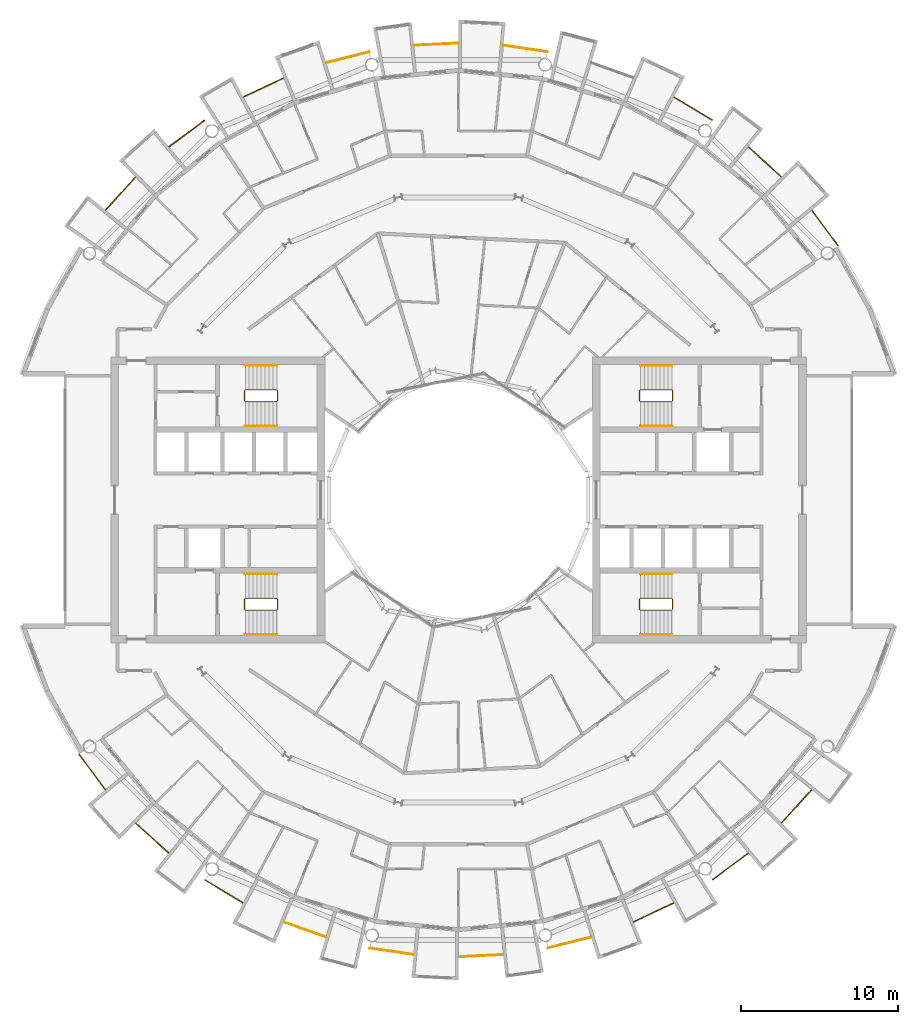
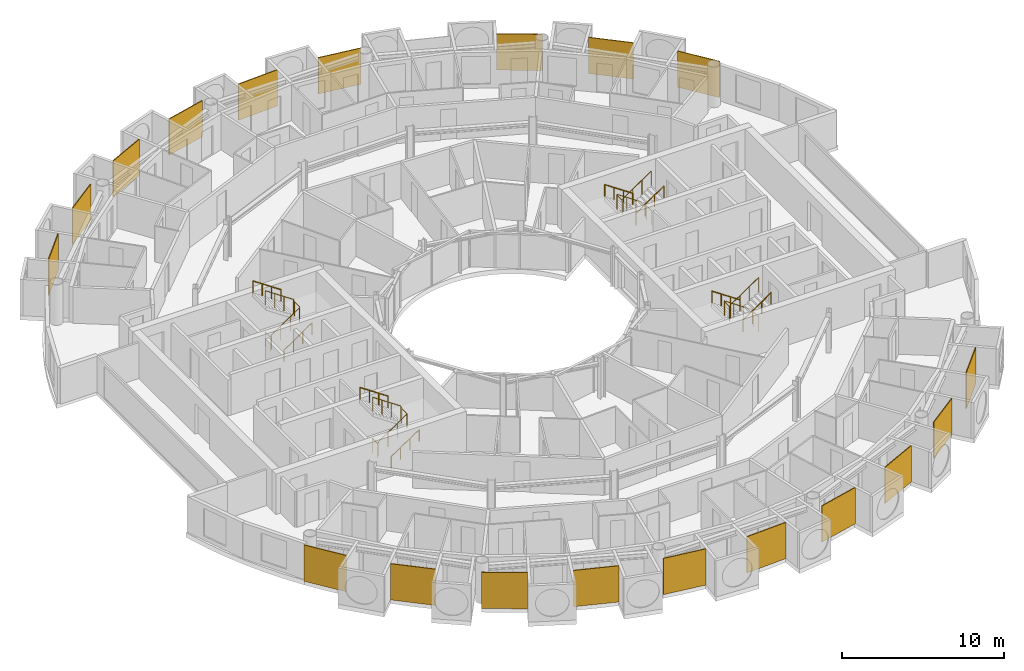
# One storey, part 26 of 27: 31 railings.
"""IFC4 building model written with IfcOpenShell, lengths in metres."""

from ifc_helpers import new_model, si_unit, direction, frame, origin, origin_2d, place, context, subcontext, project, spatial, polyline, circle, outline, extrude, material, layer, layer_set, type_object, element, save


model = new_model("IFC4")

# Units and contexts
model_context = context("Model", 3, precision=1e-05, world=origin(), true_north=direction((0.0, 1.0)))
body_context = subcontext(model_context, "Body", "Model", "MODEL_VIEW")
ifc_project = project(units=[si_unit("LENGTHUNIT", "METRE"), si_unit("AREAUNIT", "SQUARE_METRE"), si_unit("VOLUMEUNIT", "CUBIC_METRE"), si_unit("PLANEANGLEUNIT", "RADIAN"), si_unit("MASSUNIT", "GRAM", prefix="KILO")], contexts=[model_context])

# Site, building, storey
site_placement = place(None, origin())
site = spatial("IfcSite", under=ifc_project, at=site_placement, CompositionType="ELEMENT")
building_placement = place(site_placement, origin())
building = spatial("IfcBuilding", under=site, at=building_placement, Name="Maasbend Ring Residences", CompositionType="ELEMENT")
storey_placement = place(building_placement, frame((0.0, 0.0, 170.75)))
storey = spatial("IfcBuildingStorey", under=building, at=storey_placement, Name="L49", CompositionType="ELEMENT", Elevation=170.75)

# Railings
ifc_material_1 = material(Name="Pale anodised perforated aluminium", Category="aluminium")
ifc_layer = layer(ifc_material_1, 0.06005859375)
ifc_layer_set = layer_set([ifc_layer], Name="SCREEN-P")
railing_type_1 = type_object("IfcRailingType", Name="SCREEN-P", PredefinedType="GUARDRAIL", material=ifc_layer_set)
railing_1_placement = place(storey_placement, frame((0.0, 0.0, -0.030029296875)))
element("IfcRailing", 1, at=railing_1_placement, inside=storey, type_object=railing_type_1, Name="Perforated screen guard 1", PredefinedType="GUARDRAIL", context=body_context, shape_type="SweptSolid", body=[
    extrude(outline(polyline([(24.113037109375, 16.112060546875), (22.4169921875, 18.39697265625), (22.465087890625, 18.43310546875), (24.160888671875, 16.14697265625), (24.113037109375, 16.112060546875)])), origin(), (0.0, 0.0, 1.0), 2.72998046875),
])
railing_2_placement = place(storey_placement, frame((0.0, 0.0, -0.030029296875)))
element("IfcRailing", 2, at=railing_2_placement, inside=storey, type_object=railing_type_1, Name="Perforated screen guard 2", PredefinedType="GUARDRAIL", context=body_context, shape_type="SweptSolid", body=[
    extrude(outline(polyline([(20.506103515625, 20.506103515625), (18.39697265625, 22.4169921875), (18.43798828125, 22.4619140625), (20.5458984375, 20.551025390625), (20.506103515625, 20.506103515625)])), origin(), (0.0, 0.0, 1.0), 2.72998046875),
])
railing_3_placement = place(storey_placement, frame((0.0, 0.0, -0.030029296875)))
element("IfcRailing", 3, at=railing_3_placement, inside=storey, type_object=railing_type_1, Name="Perforated screen guard 3", PredefinedType="GUARDRAIL", context=body_context, shape_type="SweptSolid", body=[
    extrude(outline(polyline([(16.112060546875, 24.113037109375), (13.6708984375, 25.575927734375), (13.700927734375, 25.626953125), (16.14208984375, 24.1640625), (16.112060546875, 24.113037109375)])), origin(), (0.0, 0.0, 1.0), 2.72998046875),
])
railing_4_placement = place(storey_placement, frame((0.0, 0.0, -0.030029296875)))
element("IfcRailing", 4, at=railing_4_placement, inside=storey, type_object=railing_type_1, Name="Perforated screen guard 5", PredefinedType="GUARDRAIL", context=body_context, shape_type="SweptSolid", body=[
    extrude(outline(polyline([(5.657958984375, 28.443115234375), (2.842041015625, 28.860107421875), (2.85107421875, 28.919921875), (5.666015625, 28.501953125), (5.657958984375, 28.443115234375)])), origin(), (0.0, 0.0, 1.0), 2.72998046875),
])
railing_5_placement = place(storey_placement, frame((0.0, 0.0, -0.030029296875)))
element("IfcRailing", 5, at=railing_5_placement, inside=storey, type_object=railing_type_1, Name="Perforated screen guard 6", PredefinedType="GUARDRAIL", context=body_context, shape_type="SweptSolid", body=[
    extrude(outline(polyline([(0.0, 29.0), (-2.842041015625, 28.860107421875), (-2.844970703125, 28.919921875), (-0.0029296875, 29.06005859375), (0.0, 29.0)])), origin(), (0.0, 0.0, 1.0), 2.72998046875),
])
railing_6_placement = place(storey_placement, frame((0.0, 0.0, -0.030029296875)))
element("IfcRailing", 6, at=railing_6_placement, inside=storey, type_object=railing_type_1, Name="Perforated screen guard 7", PredefinedType="GUARDRAIL", context=body_context, shape_type="SweptSolid", body=[
    extrude(outline(polyline([(-5.657958984375, 28.443115234375), (-8.41796875, 27.7509765625), (-8.43310546875, 27.80908203125), (-5.672119140625, 28.5009765625), (-5.657958984375, 28.443115234375)])), origin(), (0.0, 0.0, 1.0), 2.72998046875),
])
railing_7_placement = place(storey_placement, frame((0.0, 0.0, -0.030029296875)))
element("IfcRailing", 7, at=railing_7_placement, inside=storey, type_object=railing_type_1, Name="Perforated screen guard 8", PredefinedType="GUARDRAIL", context=body_context, shape_type="SweptSolid", body=[
    extrude(outline(polyline([(-11.097900390625, 26.79296875), (-13.6708984375, 25.575927734375), (-13.696044921875, 25.6298828125), (-11.123046875, 26.846923828125), (-11.097900390625, 26.79296875)])), origin(), (0.0, 0.0, 1.0), 2.72998046875),
])
railing_8_placement = place(storey_placement, frame((0.0, 0.0, -0.030029296875)))
element("IfcRailing", 8, at=railing_8_placement, inside=storey, type_object=railing_type_1, Name="Perforated screen guard 9", PredefinedType="GUARDRAIL", context=body_context, shape_type="SweptSolid", body=[
    extrude(outline(polyline([(-16.112060546875, 24.113037109375), (-18.39697265625, 22.4169921875), (-18.43310546875, 22.465087890625), (-16.14697265625, 24.160888671875), (-16.112060546875, 24.113037109375)])), origin(), (0.0, 0.0, 1.0), 2.72998046875),
])
railing_9_placement = place(storey_placement, frame((0.0, 0.0, -0.030029296875)))
element("IfcRailing", 9, at=railing_9_placement, inside=storey, type_object=railing_type_1, Name="Perforated screen guard 10", PredefinedType="GUARDRAIL", context=body_context, shape_type="SweptSolid", body=[
    extrude(outline(polyline([(-20.506103515625, 20.506103515625), (-22.4169921875, 18.39697265625), (-22.4619140625, 18.43798828125), (-20.551025390625, 20.5458984375), (-20.506103515625, 20.506103515625)])), origin(), (0.0, 0.0, 1.0), 2.72998046875),
])
railing_10_placement = place(storey_placement, frame((0.0, 0.0, -0.030029296875)))
element("IfcRailing", 10, at=railing_10_placement, inside=storey, type_object=railing_type_1, Name="Perforated screen guard 1", PredefinedType="GUARDRAIL", context=body_context, shape_type="SweptSolid", body=[
    extrude(outline(polyline([(-24.113037109375, -16.112060546875), (-22.4169921875, -18.39697265625), (-22.465087890625, -18.43310546875), (-24.160888671875, -16.14697265625), (-24.113037109375, -16.112060546875)])), origin(), (0.0, 0.0, 1.0), 2.72998046875),
])
railing_11_placement = place(storey_placement, frame((0.0, 0.0, -0.030029296875)))
element("IfcRailing", 11, at=railing_11_placement, inside=storey, type_object=railing_type_1, Name="Perforated screen guard 2", PredefinedType="GUARDRAIL", context=body_context, shape_type="SweptSolid", body=[
    extrude(outline(polyline([(-20.506103515625, -20.506103515625), (-18.39697265625, -22.4169921875), (-18.43798828125, -22.4619140625), (-20.5458984375, -20.551025390625), (-20.506103515625, -20.506103515625)])), origin(), (0.0, 0.0, 1.0), 2.72998046875),
])
railing_12_placement = place(storey_placement, frame((0.0, 0.0, -0.030029296875)))
element("IfcRailing", 12, at=railing_12_placement, inside=storey, type_object=railing_type_1, Name="Perforated screen guard 3", PredefinedType="GUARDRAIL", context=body_context, shape_type="SweptSolid", body=[
    extrude(outline(polyline([(-16.112060546875, -24.113037109375), (-13.6708984375, -25.575927734375), (-13.700927734375, -25.626953125), (-16.14208984375, -24.1640625), (-16.112060546875, -24.113037109375)])), origin(), (0.0, 0.0, 1.0), 2.72998046875),
])
railing_13_placement = place(storey_placement, frame((0.0, 0.0, -0.030029296875)))
element("IfcRailing", 13, at=railing_13_placement, inside=storey, type_object=railing_type_1, Name="Perforated screen guard 4", PredefinedType="GUARDRAIL", context=body_context, shape_type="SweptSolid", body=[
    extrude(outline(polyline([(-11.097900390625, -26.79296875), (-8.41796875, -27.7509765625), (-8.43798828125, -27.80810546875), (-11.117919921875, -26.84912109375), (-11.097900390625, -26.79296875)])), origin(), (0.0, 0.0, 1.0), 2.72998046875),
])
railing_14_placement = place(storey_placement, frame((0.0, 0.0, -0.030029296875)))
element("IfcRailing", 14, at=railing_14_placement, inside=storey, type_object=railing_type_1, Name="Perforated screen guard 5", PredefinedType="GUARDRAIL", context=body_context, shape_type="SweptSolid", body=[
    extrude(outline(polyline([(-5.657958984375, -28.443115234375), (-2.842041015625, -28.860107421875), (-2.85107421875, -28.919921875), (-5.666015625, -28.501953125), (-5.657958984375, -28.443115234375)])), origin(), (0.0, 0.0, 1.0), 2.72998046875),
])
railing_15_placement = place(storey_placement, frame((0.0, 0.0, -0.030029296875)))
element("IfcRailing", 15, at=railing_15_placement, inside=storey, type_object=railing_type_1, Name="Perforated screen guard 6", PredefinedType="GUARDRAIL", context=body_context, shape_type="SweptSolid", body=[
    extrude(outline(polyline([(0.0, -29.0), (2.842041015625, -28.860107421875), (2.844970703125, -28.919921875), (0.0029296875, -29.06005859375), (0.0, -29.0)])), origin(), (0.0, 0.0, 1.0), 2.72998046875),
])
railing_16_placement = place(storey_placement, frame((0.0, 0.0, -0.030029296875)))
element("IfcRailing", 16, at=railing_16_placement, inside=storey, type_object=railing_type_1, Name="Perforated screen guard 7", PredefinedType="GUARDRAIL", context=body_context, shape_type="SweptSolid", body=[
    extrude(outline(polyline([(5.657958984375, -28.443115234375), (8.41796875, -27.7509765625), (8.43310546875, -27.80908203125), (5.672119140625, -28.5009765625), (5.657958984375, -28.443115234375)])), origin(), (0.0, 0.0, 1.0), 2.72998046875),
])
railing_17_placement = place(storey_placement, frame((0.0, 0.0, -0.030029296875)))
element("IfcRailing", 17, at=railing_17_placement, inside=storey, type_object=railing_type_1, Name="Perforated screen guard 8", PredefinedType="GUARDRAIL", context=body_context, shape_type="SweptSolid", body=[
    extrude(outline(polyline([(11.097900390625, -26.79296875), (13.6708984375, -25.575927734375), (13.696044921875, -25.6298828125), (11.123046875, -26.846923828125), (11.097900390625, -26.79296875)])), origin(), (0.0, 0.0, 1.0), 2.72998046875),
])
railing_18_placement = place(storey_placement, frame((0.0, 0.0, -0.030029296875)))
element("IfcRailing", 18, at=railing_18_placement, inside=storey, type_object=railing_type_1, Name="Perforated screen guard 9", PredefinedType="GUARDRAIL", context=body_context, shape_type="SweptSolid", body=[
    extrude(outline(polyline([(16.112060546875, -24.113037109375), (18.39697265625, -22.4169921875), (18.43310546875, -22.465087890625), (16.14697265625, -24.160888671875), (16.112060546875, -24.113037109375)])), origin(), (0.0, 0.0, 1.0), 2.72998046875),
])
railing_19_placement = place(storey_placement, frame((0.0, 0.0, -0.030029296875)))
element("IfcRailing", 19, at=railing_19_placement, inside=storey, type_object=railing_type_1, Name="Perforated screen guard 10", PredefinedType="GUARDRAIL", context=body_context, shape_type="SweptSolid", body=[
    extrude(outline(polyline([(20.506103515625, -20.506103515625), (22.4169921875, -18.39697265625), (22.4619140625, -18.43798828125), (20.551025390625, -20.5458984375), (20.506103515625, -20.506103515625)])), origin(), (0.0, 0.0, 1.0), 2.72998046875),
])
ifc_material_2 = material(Name="Stainless steel 316", Category="steel")
railing_type_2 = type_object("IfcRailingType", Name="STAIR GUARD 1100", PredefinedType="GUARDRAIL", material=ifc_material_2)
railing_20_placement = place(storey_placement, frame((13.60009765625, 6.300048828125, 0.0)))
element("IfcRailing", 20, at=railing_20_placement, inside=storey, type_object=railing_type_2, Name="L49 ST-E1 stair guard 1", PredefinedType="GUARDRAIL", context=body_context, shape_type="SweptSolid", body=[
    extrude(circle(Radius=0.02392578125, at=origin_2d()), frame((0.0, 0.0, 1.076171875), z_axis=(0.0, 1.0, 0.0), x_axis=(-1.0, 0.0, 0.0)), (0.0, 0.0, 1.0), 0.64990234375),
    extrude(circle(Radius=0.02392578125, at=origin_2d()), frame((0.0, 0.64990234375, 1.076171875), z_axis=(-0.272562526181, 0.272562526181, 0.92272386912), x_axis=(-0.707106781187, -0.707106781187, 0.0)), (0.0, 0.0, 1.0), 0.18359375),
    extrude(circle(Radius=0.02392578125, at=origin_2d()), frame((-0.050048828125, 0.699951171875, 1.24560546875), z_axis=(-0.827797584762, 0.0, 0.561026878735), x_axis=(0.0, -1.0, 0.0)), (0.0, 0.0, 1.0), 2.416015625),
    extrude(circle(Radius=0.02392578125, at=origin_2d()), frame((-2.050048828125, 0.699951171875, 2.60107421875), z_axis=(-0.707106781187, -0.707106781187, 0.0), x_axis=(0.707106781187, -0.707106781187, 0.0)), (0.0, 0.0, 1.0), 0.07080078125),
    extrude(circle(Radius=0.02392578125, at=origin_2d()), frame((-2.10009765625, 0.64990234375, 2.60107421875), z_axis=(0.0, -1.0, 0.0), x_axis=(1.0, 0.0, 0.0)), (0.0, 0.0, 1.0), 0.64990234375),
    extrude(circle(Radius=0.02392578125, at=origin_2d()), frame((-2.10009765625, 0.0, 2.60107421875), z_axis=(0.272562526181, -0.272562526181, 0.92272386912), x_axis=(0.707106781187, 0.707106781187, 0.0)), (0.0, 0.0, 1.0), 0.18359375),
    extrude(circle(Radius=0.02392578125, at=origin_2d()), frame((-2.050048828125, -0.050048828125, 2.7705078125), z_axis=(0.827750655447, 0.0, 0.561096116906), x_axis=(0.0, 1.0, 0.0)), (0.0, 0.0, 1.0), 2.416259765625),
    extrude(circle(Radius=0.02099609375, at=origin_2d()), origin(), (0.0, 0.0, 1.0), 1.052001953125),
    extrude(circle(Radius=0.02099609375, at=origin_2d()), frame((0.0, 0.64990234375, 0.0)), (0.0, 0.0, 1.0), 1.052001953125),
    extrude(circle(Radius=0.02099609375, at=origin_2d()), frame((-0.050048828125, 0.699951171875, 0.16943359375)), (0.0, 0.0, 1.0), 1.052001953125),
    extrude(circle(Radius=0.02099609375, at=origin_2d()), frame((-0.716796875, 0.699951171875, 0.621337890625)), (0.0, 0.0, 1.0), 1.052001953125),
    extrude(circle(Radius=0.02099609375, at=origin_2d()), frame((-1.38330078125, 0.699951171875, 1.072998046875)), (0.0, 0.0, 1.0), 1.052001953125),
    extrude(circle(Radius=0.02099609375, at=origin_2d()), frame((-2.050048828125, 0.699951171875, 1.52490234375)), (0.0, 0.0, 1.0), 1.052001953125),
    extrude(circle(Radius=0.02099609375, at=origin_2d()), frame((-2.10009765625, 0.64990234375, 1.52490234375)), (0.0, 0.0, 1.0), 1.052001953125),
    extrude(circle(Radius=0.02099609375, at=origin_2d()), frame((-2.10009765625, 0.0, 1.52490234375)), (0.0, 0.0, 1.0), 1.052001953125),
    extrude(circle(Radius=0.02099609375, at=origin_2d()), frame((-2.050048828125, -0.050048828125, 1.6943359375)), (0.0, 0.0, 1.0), 1.052001953125),
    extrude(circle(Radius=0.02099609375, at=origin_2d()), frame((-1.38330078125, -0.050048828125, 2.146240234375)), (0.0, 0.0, 1.0), 1.052001953125),
    extrude(circle(Radius=0.02099609375, at=origin_2d()), frame((-0.716796875, -0.050048828125, 2.59814453125)), (0.0, 0.0, 1.0), 1.052001953125),
    extrude(circle(Radius=0.02099609375, at=origin_2d()), frame((-0.050048828125, -0.050048828125, 3.050048828125)), (0.0, 0.0, 1.0), 1.052001953125),
])
railing_21_placement = place(storey_placement, frame((13.60009765625, -6.949951171875, 0.0)))
element("IfcRailing", 21, at=railing_21_placement, inside=storey, type_object=railing_type_2, Name="L49 ST-E2 stair guard 1", PredefinedType="GUARDRAIL", context=body_context, shape_type="SweptSolid", body=[
    extrude(circle(Radius=0.02392578125, at=origin_2d()), frame((0.0, 0.0, 1.076171875), z_axis=(0.0, 1.0, 0.0), x_axis=(-1.0, 0.0, 0.0)), (0.0, 0.0, 1.0), 0.64990234375),
    extrude(circle(Radius=0.02392578125, at=origin_2d()), frame((0.0, 0.64990234375, 1.076171875), z_axis=(-0.272562526181, 0.272562526181, 0.92272386912), x_axis=(-0.707106781187, -0.707106781187, 0.0)), (0.0, 0.0, 1.0), 0.18359375),
    extrude(circle(Radius=0.02392578125, at=origin_2d()), frame((-0.050048828125, 0.699951171875, 1.24560546875), z_axis=(-0.827797584762, 0.0, 0.561026878735), x_axis=(0.0, -1.0, 0.0)), (0.0, 0.0, 1.0), 2.416015625),
    extrude(circle(Radius=0.02392578125, at=origin_2d()), frame((-2.050048828125, 0.699951171875, 2.60107421875), z_axis=(-0.707106781187, -0.707106781187, 0.0), x_axis=(0.707106781187, -0.707106781187, 0.0)), (0.0, 0.0, 1.0), 0.07080078125),
    extrude(circle(Radius=0.02392578125, at=origin_2d()), frame((-2.10009765625, 0.64990234375, 2.60107421875), z_axis=(0.0, -1.0, 0.0), x_axis=(1.0, 0.0, 0.0)), (0.0, 0.0, 1.0), 0.64990234375),
    extrude(circle(Radius=0.02392578125, at=origin_2d()), frame((-2.10009765625, 0.0, 2.60107421875), z_axis=(0.272562526181, -0.272562526181, 0.92272386912), x_axis=(0.707106781187, 0.707106781187, 0.0)), (0.0, 0.0, 1.0), 0.18359375),
    extrude(circle(Radius=0.02392578125, at=origin_2d()), frame((-2.050048828125, -0.050048828125, 2.7705078125), z_axis=(0.827750655447, 0.0, 0.561096116906), x_axis=(0.0, 1.0, 0.0)), (0.0, 0.0, 1.0), 2.416259765625),
    extrude(circle(Radius=0.02099609375, at=origin_2d()), origin(), (0.0, 0.0, 1.0), 1.052001953125),
    extrude(circle(Radius=0.02099609375, at=origin_2d()), frame((0.0, 0.64990234375, 0.0)), (0.0, 0.0, 1.0), 1.052001953125),
    extrude(circle(Radius=0.02099609375, at=origin_2d()), frame((-0.050048828125, 0.699951171875, 0.16943359375)), (0.0, 0.0, 1.0), 1.052001953125),
    extrude(circle(Radius=0.02099609375, at=origin_2d()), frame((-0.716796875, 0.699951171875, 0.621337890625)), (0.0, 0.0, 1.0), 1.052001953125),
    extrude(circle(Radius=0.02099609375, at=origin_2d()), frame((-1.38330078125, 0.699951171875, 1.072998046875)), (0.0, 0.0, 1.0), 1.052001953125),
    extrude(circle(Radius=0.02099609375, at=origin_2d()), frame((-2.050048828125, 0.699951171875, 1.52490234375)), (0.0, 0.0, 1.0), 1.052001953125),
    extrude(circle(Radius=0.02099609375, at=origin_2d()), frame((-2.10009765625, 0.64990234375, 1.52490234375)), (0.0, 0.0, 1.0), 1.052001953125),
    extrude(circle(Radius=0.02099609375, at=origin_2d()), frame((-2.10009765625, 0.0, 1.52490234375)), (0.0, 0.0, 1.0), 1.052001953125),
    extrude(circle(Radius=0.02099609375, at=origin_2d()), frame((-2.050048828125, -0.050048828125, 1.6943359375)), (0.0, 0.0, 1.0), 1.052001953125),
    extrude(circle(Radius=0.02099609375, at=origin_2d()), frame((-1.38330078125, -0.050048828125, 2.146240234375)), (0.0, 0.0, 1.0), 1.052001953125),
    extrude(circle(Radius=0.02099609375, at=origin_2d()), frame((-0.716796875, -0.050048828125, 2.59814453125)), (0.0, 0.0, 1.0), 1.052001953125),
    extrude(circle(Radius=0.02099609375, at=origin_2d()), frame((-0.050048828125, -0.050048828125, 3.050048828125)), (0.0, 0.0, 1.0), 1.052001953125),
])
railing_22_placement = place(storey_placement, frame((-13.60009765625, -6.300048828125, 0.0)))
element("IfcRailing", 22, at=railing_22_placement, inside=storey, type_object=railing_type_2, Name="L49 ST-W1 stair guard 1", PredefinedType="GUARDRAIL", context=body_context, shape_type="SweptSolid", body=[
    extrude(circle(Radius=0.02392578125, at=origin_2d()), frame((0.0, 0.0, 1.076171875), z_axis=(0.0, -1.0, 0.0), x_axis=(1.0, 0.0, 0.0)), (0.0, 0.0, 1.0), 0.64990234375),
    extrude(circle(Radius=0.02392578125, at=origin_2d()), frame((0.0, -0.64990234375, 1.076171875), z_axis=(0.272562526181, -0.272562526181, 0.92272386912), x_axis=(0.707106781187, 0.707106781187, 0.0)), (0.0, 0.0, 1.0), 0.18359375),
    extrude(circle(Radius=0.02392578125, at=origin_2d()), frame((0.050048828125, -0.699951171875, 1.24560546875), z_axis=(0.827797584762, 0.0, 0.561026878735), x_axis=(0.0, 1.0, 0.0)), (0.0, 0.0, 1.0), 2.416015625),
    extrude(circle(Radius=0.02392578125, at=origin_2d()), frame((2.050048828125, -0.699951171875, 2.60107421875), z_axis=(0.707106781187, 0.707106781187, 0.0), x_axis=(-0.707106781187, 0.707106781187, 0.0)), (0.0, 0.0, 1.0), 0.07080078125),
    extrude(circle(Radius=0.02392578125, at=origin_2d()), frame((2.10009765625, -0.64990234375, 2.60107421875), z_axis=(0.0, 1.0, 0.0), x_axis=(-1.0, 0.0, 0.0)), (0.0, 0.0, 1.0), 0.64990234375),
    extrude(circle(Radius=0.02392578125, at=origin_2d()), frame((2.10009765625, 0.0, 2.60107421875), z_axis=(-0.272562526181, 0.272562526181, 0.92272386912), x_axis=(-0.707106781187, -0.707106781187, 0.0)), (0.0, 0.0, 1.0), 0.18359375),
    extrude(circle(Radius=0.02392578125, at=origin_2d()), frame((2.050048828125, 0.050048828125, 2.7705078125), z_axis=(-0.827750655447, 0.0, 0.561096116906), x_axis=(0.0, -1.0, 0.0)), (0.0, 0.0, 1.0), 2.416259765625),
    extrude(circle(Radius=0.02099609375, at=origin_2d()), origin(), (0.0, 0.0, 1.0), 1.052001953125),
    extrude(circle(Radius=0.02099609375, at=origin_2d()), frame((0.0, -0.64990234375, 0.0)), (0.0, 0.0, 1.0), 1.052001953125),
    extrude(circle(Radius=0.02099609375, at=origin_2d()), frame((0.050048828125, -0.699951171875, 0.16943359375)), (0.0, 0.0, 1.0), 1.052001953125),
    extrude(circle(Radius=0.02099609375, at=origin_2d()), frame((0.716796875, -0.699951171875, 0.621337890625)), (0.0, 0.0, 1.0), 1.052001953125),
    extrude(circle(Radius=0.02099609375, at=origin_2d()), frame((1.38330078125, -0.699951171875, 1.072998046875)), (0.0, 0.0, 1.0), 1.052001953125),
    extrude(circle(Radius=0.02099609375, at=origin_2d()), frame((2.050048828125, -0.699951171875, 1.52490234375)), (0.0, 0.0, 1.0), 1.052001953125),
    extrude(circle(Radius=0.02099609375, at=origin_2d()), frame((2.10009765625, -0.64990234375, 1.52490234375)), (0.0, 0.0, 1.0), 1.052001953125),
    extrude(circle(Radius=0.02099609375, at=origin_2d()), frame((2.10009765625, 0.0, 1.52490234375)), (0.0, 0.0, 1.0), 1.052001953125),
    extrude(circle(Radius=0.02099609375, at=origin_2d()), frame((2.050048828125, 0.050048828125, 1.6943359375)), (0.0, 0.0, 1.0), 1.052001953125),
    extrude(circle(Radius=0.02099609375, at=origin_2d()), frame((1.38330078125, 0.050048828125, 2.146240234375)), (0.0, 0.0, 1.0), 1.052001953125),
    extrude(circle(Radius=0.02099609375, at=origin_2d()), frame((0.716796875, 0.050048828125, 2.59814453125)), (0.0, 0.0, 1.0), 1.052001953125),
    extrude(circle(Radius=0.02099609375, at=origin_2d()), frame((0.050048828125, 0.050048828125, 3.050048828125)), (0.0, 0.0, 1.0), 1.052001953125),
])
railing_23_placement = place(storey_placement, frame((-13.60009765625, 6.949951171875, 0.0)))
element("IfcRailing", 23, at=railing_23_placement, inside=storey, type_object=railing_type_2, Name="L49 ST-W2 stair guard 1", PredefinedType="GUARDRAIL", context=body_context, shape_type="SweptSolid", body=[
    extrude(circle(Radius=0.02392578125, at=origin_2d()), frame((0.0, 0.0, 1.076171875), z_axis=(0.0, -1.0, 0.0), x_axis=(1.0, 0.0, 0.0)), (0.0, 0.0, 1.0), 0.64990234375),
    extrude(circle(Radius=0.02392578125, at=origin_2d()), frame((0.0, -0.64990234375, 1.076171875), z_axis=(0.272562526181, -0.272562526181, 0.92272386912), x_axis=(0.707106781187, 0.707106781187, 0.0)), (0.0, 0.0, 1.0), 0.18359375),
    extrude(circle(Radius=0.02392578125, at=origin_2d()), frame((0.050048828125, -0.699951171875, 1.24560546875), z_axis=(0.827797584762, 0.0, 0.561026878735), x_axis=(0.0, 1.0, 0.0)), (0.0, 0.0, 1.0), 2.416015625),
    extrude(circle(Radius=0.02392578125, at=origin_2d()), frame((2.050048828125, -0.699951171875, 2.60107421875), z_axis=(0.707106781187, 0.707106781187, 0.0), x_axis=(-0.707106781187, 0.707106781187, 0.0)), (0.0, 0.0, 1.0), 0.07080078125),
    extrude(circle(Radius=0.02392578125, at=origin_2d()), frame((2.10009765625, -0.64990234375, 2.60107421875), z_axis=(0.0, 1.0, 0.0), x_axis=(-1.0, 0.0, 0.0)), (0.0, 0.0, 1.0), 0.64990234375),
    extrude(circle(Radius=0.02392578125, at=origin_2d()), frame((2.10009765625, 0.0, 2.60107421875), z_axis=(-0.272562526181, 0.272562526181, 0.92272386912), x_axis=(-0.707106781187, -0.707106781187, 0.0)), (0.0, 0.0, 1.0), 0.18359375),
    extrude(circle(Radius=0.02392578125, at=origin_2d()), frame((2.050048828125, 0.050048828125, 2.7705078125), z_axis=(-0.827750655447, 0.0, 0.561096116906), x_axis=(0.0, -1.0, 0.0)), (0.0, 0.0, 1.0), 2.416259765625),
    extrude(circle(Radius=0.02099609375, at=origin_2d()), origin(), (0.0, 0.0, 1.0), 1.052001953125),
    extrude(circle(Radius=0.02099609375, at=origin_2d()), frame((0.0, -0.64990234375, 0.0)), (0.0, 0.0, 1.0), 1.052001953125),
    extrude(circle(Radius=0.02099609375, at=origin_2d()), frame((0.050048828125, -0.699951171875, 0.16943359375)), (0.0, 0.0, 1.0), 1.052001953125),
    extrude(circle(Radius=0.02099609375, at=origin_2d()), frame((0.716796875, -0.699951171875, 0.621337890625)), (0.0, 0.0, 1.0), 1.052001953125),
    extrude(circle(Radius=0.02099609375, at=origin_2d()), frame((1.38330078125, -0.699951171875, 1.072998046875)), (0.0, 0.0, 1.0), 1.052001953125),
    extrude(circle(Radius=0.02099609375, at=origin_2d()), frame((2.050048828125, -0.699951171875, 1.52490234375)), (0.0, 0.0, 1.0), 1.052001953125),
    extrude(circle(Radius=0.02099609375, at=origin_2d()), frame((2.10009765625, -0.64990234375, 1.52490234375)), (0.0, 0.0, 1.0), 1.052001953125),
    extrude(circle(Radius=0.02099609375, at=origin_2d()), frame((2.10009765625, 0.0, 1.52490234375)), (0.0, 0.0, 1.0), 1.052001953125),
    extrude(circle(Radius=0.02099609375, at=origin_2d()), frame((2.050048828125, 0.050048828125, 1.6943359375)), (0.0, 0.0, 1.0), 1.052001953125),
    extrude(circle(Radius=0.02099609375, at=origin_2d()), frame((1.38330078125, 0.050048828125, 2.146240234375)), (0.0, 0.0, 1.0), 1.052001953125),
    extrude(circle(Radius=0.02099609375, at=origin_2d()), frame((0.716796875, 0.050048828125, 2.59814453125)), (0.0, 0.0, 1.0), 1.052001953125),
    extrude(circle(Radius=0.02099609375, at=origin_2d()), frame((0.050048828125, 0.050048828125, 3.050048828125)), (0.0, 0.0, 1.0), 1.052001953125),
])
ifc_material_3 = material(Name="Stainless steel 316", Category="steel")
railing_type_3 = type_object("IfcRailingType", Name="STAIR HANDRAIL 900", PredefinedType="HANDRAIL", material=ifc_material_3)
railing_24_placement = place(storey_placement, frame((13.550048828125, 8.550048828125, 0.16943359375)))
element("IfcRailing", 24, at=railing_24_placement, inside=storey, type_object=railing_type_3, Name="L49 ST-E1 stair handrail 1", PredefinedType="HANDRAIL", context=body_context, shape_type="SweptSolid", body=[
    extrude(circle(Radius=0.02392578125, at=origin_2d()), frame((0.0, 0.0, 0.8759765625), z_axis=(-0.827797584762, 0.0, 0.561026878735), x_axis=(0.0, -1.0, 0.0)), (0.0, 0.0, 1.0), 2.416015625),
    extrude(circle(Radius=0.02099609375, at=origin_2d()), origin(), (0.0, 0.0, 1.0), 0.851806640625),
    extrude(circle(Radius=0.02099609375, at=origin_2d()), frame((-0.666748046875, 0.0, 0.451904296875)), (0.0, 0.0, 1.0), 0.851806640625),
    extrude(circle(Radius=0.02099609375, at=origin_2d()), frame((-1.333251953125, 0.0, 0.903564453125)), (0.0, 0.0, 1.0), 0.851806640625),
    extrude(circle(Radius=0.02099609375, at=origin_2d()), frame((-2.0, 0.0, 1.35546875)), (0.0, 0.0, 1.0), 0.851806640625),
])
railing_25_placement = place(storey_placement, frame((11.550048828125, 4.699951171875, 1.6943359375)))
element("IfcRailing", 25, at=railing_25_placement, inside=storey, type_object=railing_type_3, Name="L49 ST-E1 stair handrail 2", PredefinedType="HANDRAIL", context=body_context, shape_type="SweptSolid", body=[
    extrude(circle(Radius=0.02392578125, at=origin_2d()), frame((0.0, 0.0, 0.8759765625), z_axis=(0.827750655447, 0.0, 0.561096116906), x_axis=(0.0, 1.0, 0.0)), (0.0, 0.0, 1.0), 2.416259765625),
    extrude(circle(Radius=0.02099609375, at=origin_2d()), origin(), (0.0, 0.0, 1.0), 0.851806640625),
    extrude(circle(Radius=0.02099609375, at=origin_2d()), frame((0.666748046875, 0.0, 0.451904296875)), (0.0, 0.0, 1.0), 0.851806640625),
    extrude(circle(Radius=0.02099609375, at=origin_2d()), frame((1.333251953125, 0.0, 0.90380859375)), (0.0, 0.0, 1.0), 0.851806640625),
    extrude(circle(Radius=0.02099609375, at=origin_2d()), frame((2.0, 0.0, 1.355712890625)), (0.0, 0.0, 1.0), 0.851806640625),
])
railing_26_placement = place(storey_placement, frame((13.550048828125, -4.699951171875, 0.16943359375)))
element("IfcRailing", 26, at=railing_26_placement, inside=storey, type_object=railing_type_3, Name="L49 ST-E2 stair handrail 1", PredefinedType="HANDRAIL", context=body_context, shape_type="SweptSolid", body=[
    extrude(circle(Radius=0.02392578125, at=origin_2d()), frame((0.0, 0.0, 0.8759765625), z_axis=(-0.827797584762, 0.0, 0.561026878735), x_axis=(0.0, -1.0, 0.0)), (0.0, 0.0, 1.0), 2.416015625),
    extrude(circle(Radius=0.02099609375, at=origin_2d()), origin(), (0.0, 0.0, 1.0), 0.851806640625),
    extrude(circle(Radius=0.02099609375, at=origin_2d()), frame((-0.666748046875, 0.0, 0.451904296875)), (0.0, 0.0, 1.0), 0.851806640625),
    extrude(circle(Radius=0.02099609375, at=origin_2d()), frame((-1.333251953125, 0.0, 0.903564453125)), (0.0, 0.0, 1.0), 0.851806640625),
    extrude(circle(Radius=0.02099609375, at=origin_2d()), frame((-2.0, 0.0, 1.35546875)), (0.0, 0.0, 1.0), 0.851806640625),
])
railing_27_placement = place(storey_placement, frame((11.550048828125, -8.550048828125, 1.6943359375)))
element("IfcRailing", 27, at=railing_27_placement, inside=storey, type_object=railing_type_3, Name="L49 ST-E2 stair handrail 2", PredefinedType="HANDRAIL", context=body_context, shape_type="SweptSolid", body=[
    extrude(circle(Radius=0.02392578125, at=origin_2d()), frame((0.0, 0.0, 0.8759765625), z_axis=(0.827750655447, 0.0, 0.561096116906), x_axis=(0.0, 1.0, 0.0)), (0.0, 0.0, 1.0), 2.416259765625),
    extrude(circle(Radius=0.02099609375, at=origin_2d()), origin(), (0.0, 0.0, 1.0), 0.851806640625),
    extrude(circle(Radius=0.02099609375, at=origin_2d()), frame((0.666748046875, 0.0, 0.451904296875)), (0.0, 0.0, 1.0), 0.851806640625),
    extrude(circle(Radius=0.02099609375, at=origin_2d()), frame((1.333251953125, 0.0, 0.90380859375)), (0.0, 0.0, 1.0), 0.851806640625),
    extrude(circle(Radius=0.02099609375, at=origin_2d()), frame((2.0, 0.0, 1.355712890625)), (0.0, 0.0, 1.0), 0.851806640625),
])
railing_28_placement = place(storey_placement, frame((-13.550048828125, -8.550048828125, 0.16943359375)))
element("IfcRailing", 28, at=railing_28_placement, inside=storey, type_object=railing_type_3, Name="L49 ST-W1 stair handrail 1", PredefinedType="HANDRAIL", context=body_context, shape_type="SweptSolid", body=[
    extrude(circle(Radius=0.02392578125, at=origin_2d()), frame((0.0, 0.0, 0.8759765625), z_axis=(0.827797584762, 0.0, 0.561026878735), x_axis=(0.0, 1.0, 0.0)), (0.0, 0.0, 1.0), 2.416015625),
    extrude(circle(Radius=0.02099609375, at=origin_2d()), origin(), (0.0, 0.0, 1.0), 0.851806640625),
    extrude(circle(Radius=0.02099609375, at=origin_2d()), frame((0.666748046875, 0.0, 0.451904296875)), (0.0, 0.0, 1.0), 0.851806640625),
    extrude(circle(Radius=0.02099609375, at=origin_2d()), frame((1.333251953125, 0.0, 0.903564453125)), (0.0, 0.0, 1.0), 0.851806640625),
    extrude(circle(Radius=0.02099609375, at=origin_2d()), frame((2.0, 0.0, 1.35546875)), (0.0, 0.0, 1.0), 0.851806640625),
])
railing_29_placement = place(storey_placement, frame((-11.550048828125, -4.699951171875, 1.6943359375)))
element("IfcRailing", 29, at=railing_29_placement, inside=storey, type_object=railing_type_3, Name="L49 ST-W1 stair handrail 2", PredefinedType="HANDRAIL", context=body_context, shape_type="SweptSolid", body=[
    extrude(circle(Radius=0.02392578125, at=origin_2d()), frame((0.0, 0.0, 0.8759765625), z_axis=(-0.827750655447, 0.0, 0.561096116906), x_axis=(0.0, -1.0, 0.0)), (0.0, 0.0, 1.0), 2.416259765625),
    extrude(circle(Radius=0.02099609375, at=origin_2d()), origin(), (0.0, 0.0, 1.0), 0.851806640625),
    extrude(circle(Radius=0.02099609375, at=origin_2d()), frame((-0.666748046875, 0.0, 0.451904296875)), (0.0, 0.0, 1.0), 0.851806640625),
    extrude(circle(Radius=0.02099609375, at=origin_2d()), frame((-1.333251953125, 0.0, 0.90380859375)), (0.0, 0.0, 1.0), 0.851806640625),
    extrude(circle(Radius=0.02099609375, at=origin_2d()), frame((-2.0, 0.0, 1.355712890625)), (0.0, 0.0, 1.0), 0.851806640625),
])
railing_30_placement = place(storey_placement, frame((-13.550048828125, 4.699951171875, 0.16943359375)))
element("IfcRailing", 30, at=railing_30_placement, inside=storey, type_object=railing_type_3, Name="L49 ST-W2 stair handrail 1", PredefinedType="HANDRAIL", context=body_context, shape_type="SweptSolid", body=[
    extrude(circle(Radius=0.02392578125, at=origin_2d()), frame((0.0, 0.0, 0.8759765625), z_axis=(0.827797584762, 0.0, 0.561026878735), x_axis=(0.0, 1.0, 0.0)), (0.0, 0.0, 1.0), 2.416015625),
    extrude(circle(Radius=0.02099609375, at=origin_2d()), origin(), (0.0, 0.0, 1.0), 0.851806640625),
    extrude(circle(Radius=0.02099609375, at=origin_2d()), frame((0.666748046875, 0.0, 0.451904296875)), (0.0, 0.0, 1.0), 0.851806640625),
    extrude(circle(Radius=0.02099609375, at=origin_2d()), frame((1.333251953125, 0.0, 0.903564453125)), (0.0, 0.0, 1.0), 0.851806640625),
    extrude(circle(Radius=0.02099609375, at=origin_2d()), frame((2.0, 0.0, 1.35546875)), (0.0, 0.0, 1.0), 0.851806640625),
])
railing_31_placement = place(storey_placement, frame((-11.550048828125, 8.550048828125, 1.6943359375)))
element("IfcRailing", 31, at=railing_31_placement, inside=storey, type_object=railing_type_3, Name="L49 ST-W2 stair handrail 2", PredefinedType="HANDRAIL", context=body_context, shape_type="SweptSolid", body=[
    extrude(circle(Radius=0.02392578125, at=origin_2d()), frame((0.0, 0.0, 0.8759765625), z_axis=(-0.827750655447, 0.0, 0.561096116906), x_axis=(0.0, -1.0, 0.0)), (0.0, 0.0, 1.0), 2.416259765625),
    extrude(circle(Radius=0.02099609375, at=origin_2d()), origin(), (0.0, 0.0, 1.0), 0.851806640625),
    extrude(circle(Radius=0.02099609375, at=origin_2d()), frame((-0.666748046875, 0.0, 0.451904296875)), (0.0, 0.0, 1.0), 0.851806640625),
    extrude(circle(Radius=0.02099609375, at=origin_2d()), frame((-1.333251953125, 0.0, 0.90380859375)), (0.0, 0.0, 1.0), 0.851806640625),
    extrude(circle(Radius=0.02099609375, at=origin_2d()), frame((-2.0, 0.0, 1.355712890625)), (0.0, 0.0, 1.0), 0.851806640625),
])

save(model, "model.ifc")
